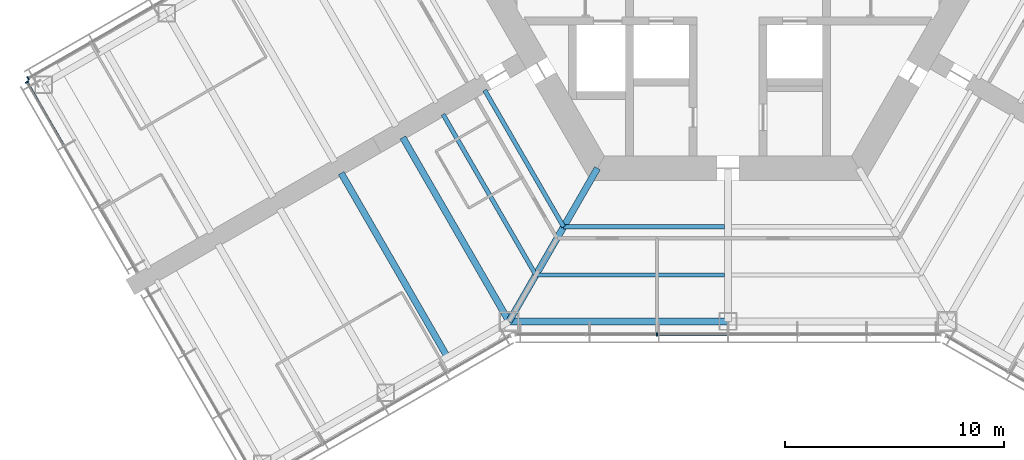
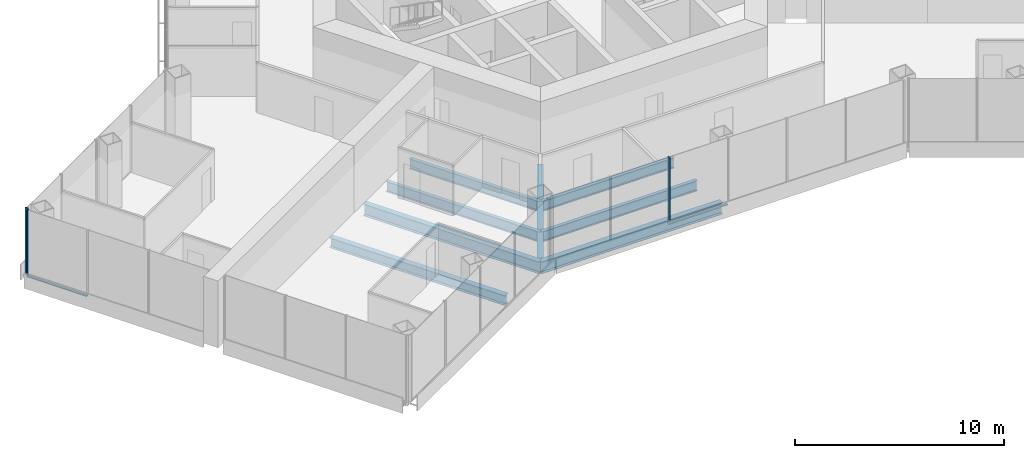
# One storey, part 3 of 18: 8 beams, 5 members, 3 elements without a shape of their own.
"""IFC4 building model written with IfcOpenShell, lengths in metres."""

import ifcopenshell
import ifcopenshell.guid

model = None  # the IFC model being written
_history = None  # IfcOwnerHistory: only IFC2X3 demands one
_inside = {}  # id of a spatial element -> (the spatial element, [elements in it])
_under = {}  # id of a project, library or spatial element -> (it, [spatial elements below it])
_declared = {}  # id of a project -> (the project, [libraries it declares])
_typed = {}  # id of a type object -> (the type object, [elements of that type])
_made_of = {}  # id of a material, layer set ... -> (it, [elements and type objects made of it])


def new_model(schema):
    """Start an empty IFC model of exactly this schema.

    Asked for "IFC4X3", IfcOpenShell would pick the latest addendum, in which some entities
    have other attributes; the version numbers below select the first issue.
    IFC2X3 requires an IfcOwnerHistory on every rooted entity: one is made here for all.
    """
    global model, _history
    if schema == "IFC4X3":
        model = ifcopenshell.file(schema_version=(4, 3, 0, 0))
    else:
        model = ifcopenshell.file(schema=schema)
    _inside.clear()
    _under.clear()
    _declared.clear()
    _typed.clear()
    _made_of.clear()
    _history = None
    if model.schema == "IFC2X3":
        org = make("IfcOrganization", Name="unknown")
        user = make(
            "IfcPersonAndOrganization",
            ThePerson=make("IfcPerson", FamilyName="unknown"),
            TheOrganization=org,
        )
        app = make(
            "IfcApplication",
            ApplicationDeveloper=org,
            Version="unknown",
            ApplicationFullName="unknown",
            ApplicationIdentifier="unknown",
        )
        _history = make(
            "IfcOwnerHistory",
            OwningUser=user,
            OwningApplication=app,
            ChangeAction="ADDED",
            CreationDate=0,
        )
    return model


def make(cls, **values):
    """One entity of the class cls with the attributes given. An attribute that is None is left unset."""
    return model.create_entity(
        cls, **{name: value for name, value in values.items() if value is not None}
    )


def rooted(cls, **values):
    """An entity with a GlobalId (a new one), such as an element, a storey or a relation."""
    return make(cls, GlobalId=ifcopenshell.guid.new(), OwnerHistory=_history, **values)


def si_unit(unit_type, name, prefix=None):
    """IfcSIUnit, for example si_unit("LENGTHUNIT", "METRE", prefix="MILLI")."""
    return make("IfcSIUnit", UnitType=unit_type, Prefix=prefix, Name=name)


def assignment(units):
    """IfcUnitAssignment: the units of a project."""
    return None if units is None else make("IfcUnitAssignment", Units=units)


def point(xyz):
    """IfcCartesianPoint."""
    return None if xyz is None else make("IfcCartesianPoint", Coordinates=xyz)


def direction(xyz):
    """IfcDirection."""
    return None if xyz is None else make("IfcDirection", DirectionRatios=xyz)


def frame(location, z_axis=None, x_axis=None):
    """IfcAxis2Placement3D, a coordinate frame: its origin and axes. An axis left out is left unset."""
    return make(
        "IfcAxis2Placement3D",
        Location=point(location),
        Axis=direction(z_axis),
        RefDirection=direction(x_axis),
    )


def frame_2d(location, x_axis=None):
    """IfcAxis2Placement2D, a coordinate frame in the plane: its origin and x axis."""
    return make(
        "IfcAxis2Placement2D", Location=point(location), RefDirection=direction(x_axis)
    )


def origin():
    """The frame at (0, 0, 0) with its axes left unset."""
    return frame((0.0, 0.0, 0.0))


def origin_2d():
    """The frame at (0, 0) in the plane with its x axis left unset."""
    return frame_2d((0.0, 0.0))


def place(relative_to, where):
    """IfcLocalPlacement: puts the frame where relative to a parent placement (None: the world)."""
    return make(
        "IfcLocalPlacement", PlacementRelTo=relative_to, RelativePlacement=where
    )


def context(
    kind, dimensions, precision=None, world=None, true_north=None, identifier=None
):
    """IfcGeometricRepresentationContext, for example the 3D "Model" context."""
    return make(
        "IfcGeometricRepresentationContext",
        ContextIdentifier=identifier,
        ContextType=kind,
        CoordinateSpaceDimension=dimensions,
        Precision=precision,
        WorldCoordinateSystem=world,
        TrueNorth=true_north,
    )


def subcontext(parent, identifier, kind, view, scale=None):
    """IfcGeometricRepresentationSubContext, for example "Body" below "Model"."""
    return make(
        "IfcGeometricRepresentationSubContext",
        ContextIdentifier=identifier,
        ContextType=kind,
        ParentContext=parent,
        TargetScale=scale,
        TargetView=view,
    )


def project(units=None, contexts=None):
    """IfcProject with its units and contexts."""
    return rooted(
        "IfcProject",
        Name="project",
        RepresentationContexts=contexts,
        UnitsInContext=assignment(units),
    )


def spatial(cls, under=None, at=None, **own):
    """A site, building, storey or space (cls), placed at a placement, below another one or the project."""
    s = rooted(cls, ObjectPlacement=at, **own)
    if under is not None:
        _under.setdefault(under.id(), (under, []))[1].append(s)
    return s


def profile(cls, at=None, kind="AREA", **sizes):
    """A parametric profile (cls). Its sizes go by their IFC names, for example OverallWidth=200.0."""
    return make(cls, ProfileType=kind, Position=at, **sizes)


def rectangle(**sizes):
    """IfcRectangleProfileDef."""
    return profile("IfcRectangleProfileDef", **sizes)


def i_section(**sizes):
    """IfcIShapeProfileDef."""
    return profile("IfcIShapeProfileDef", **sizes)


def extrude(swept, where, along, depth):
    """IfcExtrudedAreaSolid: the profile swept, set in the frame where, extruded along a direction by depth."""
    return make(
        "IfcExtrudedAreaSolid",
        SweptArea=swept,
        Position=where,
        ExtrudedDirection=direction(along),
        Depth=depth,
    )


def shape(context_of_items, identifier, shape_type, items):
    """IfcShapeRepresentation: the items that make up one representation, for example the "Body"."""
    return make(
        "IfcShapeRepresentation",
        ContextOfItems=context_of_items,
        RepresentationIdentifier=identifier,
        RepresentationType=shape_type,
        Items=items,
    )


def material(Name=None, Category=None):
    """IfcMaterial."""
    return make("IfcMaterial", Name=Name, Category=Category)


def material_profile(
    of_material, cross_section, Name=None, Category=None, Priority=None
):
    """IfcMaterialProfile: a cross section and its material."""
    return make(
        "IfcMaterialProfile",
        Name=Name,
        Material=of_material,
        Profile=cross_section,
        Priority=Priority,
        Category=Category,
    )


def profile_set(profiles, Name=None, composite=None):
    """IfcMaterialProfileSet."""
    return make(
        "IfcMaterialProfileSet",
        Name=Name,
        MaterialProfiles=profiles,
        CompositeProfile=composite,
    )


def made_of(thing, what):
    """Note that an element or type object is made of a material, layer set ...; save() writes the relation."""
    if what is not None:
        _made_of.setdefault(what.id(), (what, []))[1].append(thing)
    return thing


def type_object(cls, material=None, **own):
    """A type object (cls), such as IfcWallType, which elements share."""
    return made_of(rooted(cls, **own), material)


def element(
    cls,
    number,
    at=None,
    inside=None,
    cuts=None,
    type_object=None,
    material=None,
    context=None,
    identifier="Body",
    shape_type=None,
    held_by="IfcProductDefinitionShape",
    body=None,
    shapes=None,
    **own,
):
    """One element of the class cls, such as IfcWall. Its Tag is "e" and its number.

    at: its placement. inside: the storey or other place that contains it. cuts: it is an
    opening in that element (IfcRelVoidsElement). A single representation is given by context,
    identifier, shape_type and body (its items); several are given by shapes. held_by: the class
    of the entity that holds the representations. save() writes the other relations.
    """
    e = rooted(cls, Tag="e%d" % number, ObjectPlacement=at, **own)
    if body is not None:
        shapes = [shape(context, identifier, shape_type, body)]
    if shapes is not None:
        e.Representation = make(held_by, Representations=shapes)
    if inside is not None:
        _inside.setdefault(inside.id(), (inside, []))[1].append(e)
    if cuts is not None:
        rooted(
            "IfcRelVoidsElement", RelatingBuildingElement=cuts, RelatedOpeningElement=e
        )
    if type_object is not None:
        _typed.setdefault(type_object.id(), (type_object, []))[1].append(e)
    return made_of(e, material)


def aggregate(whole, parts):
    """IfcRelAggregates: a whole, such as a stair, and the parts it consists of."""
    return rooted("IfcRelAggregates", RelatingObject=whole, RelatedObjects=parts)


def save(model, path):
    """Write the relations noted so far, then the file.

    IfcRelAggregates (storeys below a building ...), IfcRelContainedInSpatialStructure (elements
    in a storey), IfcRelDefinesByType, IfcRelAssociatesMaterial and IfcRelDeclares: one each for
    every whole, place, type object, material and project.
    """
    for whole, parts in _under.values():
        aggregate(whole, parts)
    for where, things in _inside.values():
        rooted(
            "IfcRelContainedInSpatialStructure",
            RelatedElements=things,
            RelatingStructure=where,
        )
    for kind, things in _typed.values():
        rooted("IfcRelDefinesByType", RelatedObjects=things, RelatingType=kind)
    for what, things in _made_of.values():
        rooted("IfcRelAssociatesMaterial", RelatedObjects=things, RelatingMaterial=what)
    for by, libraries in _declared.values():
        rooted("IfcRelDeclares", RelatingContext=by, RelatedDefinitions=libraries)
    model.write(path)


model = new_model("IFC4")

# Units and contexts
model_context = context("Model", 3, precision=1e-05, world=origin(), true_north=direction((0.0, 1.0)))
body_context = subcontext(model_context, "Body", "Model", "MODEL_VIEW")
ifc_project = project(units=[si_unit("LENGTHUNIT", "METRE"), si_unit("AREAUNIT", "SQUARE_METRE"), si_unit("VOLUMEUNIT", "CUBIC_METRE"), si_unit("PLANEANGLEUNIT", "RADIAN"), si_unit("MASSUNIT", "GRAM", prefix="KILO")], contexts=[model_context])

# Site, building, storey
site_placement = place(None, origin())
site = spatial("IfcSite", under=ifc_project, at=site_placement, CompositionType="ELEMENT")
building_placement = place(site_placement, origin())
building = spatial("IfcBuilding", under=site, at=building_placement, Name="Kasaneha Research Tower", CompositionType="ELEMENT")
storey_placement = place(building_placement, frame((0.0, 0.0, 80.699951171875)))
storey = spatial("IfcBuildingStorey", under=building, at=storey_placement, Name="L20", CompositionType="ELEMENT", Elevation=80.699951171875)

# Beams
ifc_material_1 = material(Name="Steel SN490B", Category="steel")
ifc_material_profile_1 = material_profile(ifc_material_1, i_section(OverallWidth=0.199951171875, OverallDepth=0.60009765625, WebThickness=0.010986328125, FlangeThickness=0.01708984375, FilletRadius=0.012939453125, at=origin_2d()), Name="H-600x200x11x17")
ifc_profile_set_1 = profile_set([ifc_material_profile_1], Name="Steel SN490B")
beam_type_1 = type_object("IfcBeamType", Name="B1-3 secondary beam H-600x200x11x17", PredefinedType="JOIST", material=ifc_profile_set_1)
beam_1_placement = place(storey_placement, frame((-7.505615234375, -13.0, -0.449951171875), z_axis=(-0.499998147991, 0.86602647304, 0.0), x_axis=(-0.86602647304, -0.499998147991, 0.0)))
element("IfcBeam", 1, at=beam_1_placement, inside=storey, type_object=beam_type_1, Name="Secondary beam RS210R1 L20", PredefinedType="JOIST", context=body_context, shape_type="SweptSolid", body=[
    extrude(i_section(OverallWidth=0.199951171875, OverallDepth=0.60009765625, WebThickness=0.010986328125, FlangeThickness=0.01708984375, FilletRadius=0.012939453125, at=origin_2d()), origin(), (0.0, 0.0, 1.0), 7.20556640625),
])
beam_2_placement = place(storey_placement, frame((-8.775634765625, -15.199951171875, -0.449951171875), z_axis=(-0.500020829043, 0.866013377797, 0.0), x_axis=(-0.866013377797, -0.500020829043, 0.0)))
element("IfcBeam", 2, at=beam_2_placement, inside=storey, type_object=beam_type_1, Name="Secondary beam RS210R2 L20", PredefinedType="JOIST", context=body_context, shape_type="SweptSolid", body=[
    extrude(i_section(OverallWidth=0.199951171875, OverallDepth=0.60009765625, WebThickness=0.010986328125, FlangeThickness=0.01708984375, FilletRadius=0.012939453125, at=origin_2d()), origin(), (0.0, 0.0, 1.0), 8.475830078125),
])
beam_3_placement = place(storey_placement, frame((-7.505615234375, -13.0, -0.449951171875), z_axis=(1.0, 0.0, 0.0), x_axis=(0.0, 1.0, 0.0)))
element("IfcBeam", 3, at=beam_3_placement, inside=storey, type_object=beam_type_1, Name="Secondary beam RS270L1 L20", PredefinedType="JOIST", context=body_context, shape_type="SweptSolid", body=[
    extrude(i_section(OverallWidth=0.199951171875, OverallDepth=0.60009765625, WebThickness=0.010986328125, FlangeThickness=0.01708984375, FilletRadius=0.012939453125, at=origin_2d()), origin(), (0.0, 0.0, 1.0), 7.355712890625),
])
beam_4_placement = place(storey_placement, frame((-8.775634765625, -15.199951171875, -0.449951171875), z_axis=(1.0, 0.0, 0.0), x_axis=(0.0, 1.0, 0.0)))
element("IfcBeam", 4, at=beam_4_placement, inside=storey, type_object=beam_type_1, Name="Secondary beam RS270L2 L20", PredefinedType="JOIST", context=body_context, shape_type="SweptSolid", body=[
    extrude(i_section(OverallWidth=0.199951171875, OverallDepth=0.60009765625, WebThickness=0.010986328125, FlangeThickness=0.01708984375, FilletRadius=0.012939453125, at=origin_2d()), origin(), (0.0, 0.0, 1.0), 8.625732421875),
])
ifc_material_2 = material(Name="Steel SN490B", Category="steel")
ifc_material_profile_2 = material_profile(ifc_material_2, i_section(OverallWidth=0.300048828125, OverallDepth=0.58203125, WebThickness=0.011962890625, FlangeThickness=0.01708984375, FilletRadius=0.012939453125, at=origin_2d()), Name="H-582x300x12x17")
ifc_profile_set_2 = profile_set([ifc_material_profile_2], Name="Steel SN490B")
beam_type_2 = type_object("IfcBeamType", Name="B2-3 secondary beam H-582x300x12x17", PredefinedType="JOIST", material=ifc_profile_set_2)
beam_5_placement = place(storey_placement, frame((-12.814697265625, -18.945556640625, -0.44091796875), z_axis=(-0.499991164321, 0.866030505006, 0.0), x_axis=(-0.866030505006, -0.499991164321, 0.0)))
element("IfcBeam", 5, at=beam_5_placement, inside=storey, type_object=beam_type_2, Name="Secondary beam WBBN1 L20", PredefinedType="JOIST", context=body_context, shape_type="SweptSolid", body=[
    extrude(i_section(OverallWidth=0.300048828125, OverallDepth=0.58203125, WebThickness=0.011962890625, FlangeThickness=0.01708984375, FilletRadius=0.012939453125, at=origin_2d()), origin(), (0.0, 0.0, 1.0), 9.699951171875),
])

# Curtain wall, member
ifc_material_3 = material(Name="Glass and aluminium", Category="aluminium")
curtain_wall_type = type_object("IfcCurtainWallType", Name="Low-rise office curtain wall", PredefinedType="USERDEFINED", material=ifc_material_3)
curtain_wall_1_placement = place(storey_placement, origin())
curtain_wall_1 = element("IfcCurtainWall", 6, at=curtain_wall_1_placement, inside=storey, type_object=curtain_wall_type, Name="CW-O1 L20 run 02a", ObjectType="UNITISED CURTAIN WALL", PredefinedType="USERDEFINED")
ifc_material_4 = material(Name="Aluminium 6063-T6", Category="aluminium")
ifc_material_profile_3 = material_profile(ifc_material_4, rectangle(XDim=0.06005859375, YDim=0.159912109375, at=origin_2d()), Name="CW-O1 mullion 60x160")
ifc_profile_set_3 = profile_set([ifc_material_profile_3], Name="Aluminium 6063-T6")
member_type_1 = type_object("IfcMemberType", Name="CW-O1 mullion", PredefinedType="MULLION", material=ifc_profile_set_3)
member_1_placement = place(storey_placement, frame((-3.246337890625, -17.92041015625, 0.0), z_axis=(0.0, 0.0, 1.0), x_axis=(1.0, 0.0, 0.0)))
member_1 = element("IfcMember", 7, at=member_1_placement, type_object=member_type_1, Name="CW-O1 mullion 3", PredefinedType="MULLION", context=body_context, shape_type="SweptSolid", body=[
    extrude(rectangle(XDim=0.06005859375, YDim=0.159912109375, at=origin_2d()), origin(), (0.0, 0.0, 1.0), 3.900146484375),
])

curtain_wall_2_placement = place(storey_placement, origin())
curtain_wall_2 = element("IfcCurtainWall", 8, at=curtain_wall_2_placement, inside=storey, type_object=curtain_wall_type, Name="CW-O1 L20 run 13a", ObjectType="UNITISED CURTAIN WALL", PredefinedType="USERDEFINED")
member_2_placement = place(storey_placement, frame((-31.96533203125, -6.21533203125, 0.0), z_axis=(0.0, 0.0, 1.0), x_axis=(-0.866025411464, -0.499999986699, 0.0)))
member_2 = element("IfcMember", 9, at=member_2_placement, type_object=member_type_1, Name="CW-O1 mullion 5", PredefinedType="MULLION", context=body_context, shape_type="SweptSolid", body=[
    extrude(rectangle(XDim=0.06005859375, YDim=0.159912109375, at=origin_2d()), origin(), (0.0, 0.0, 1.0), 3.900146484375),
])
aggregate(curtain_wall_2, [member_2])

curtain_wall_3_placement = place(storey_placement, origin())
curtain_wall_3 = element("IfcCurtainWall", 10, at=curtain_wall_3_placement, inside=storey, type_object=curtain_wall_type, Name="CW-O1 L20 run 14a", ObjectType="UNITISED CURTAIN WALL", PredefinedType="USERDEFINED")
member_3_placement = place(storey_placement, frame((-32.012939453125, -6.39306640625, 0.0), z_axis=(0.0, 0.0, 1.0), x_axis=(0.500000011442, -0.866025397178, 0.0)))
member_3 = element("IfcMember", 11, at=member_3_placement, type_object=member_type_1, Name="CW-O1 mullion 1", PredefinedType="MULLION", context=body_context, shape_type="SweptSolid", body=[
    extrude(rectangle(XDim=0.06005859375, YDim=0.159912109375, at=origin_2d()), origin(), (0.0, 0.0, 1.0), 3.900146484375),
])

# Member
ifc_material_5 = material(Name="Aluminium 6063-T6", Category="aluminium")
ifc_material_profile_4 = material_profile(ifc_material_5, rectangle(XDim=0.1201171875, YDim=0.06005859375, at=origin_2d()), Name="CW-O1 transom 120x60")
ifc_profile_set_4 = profile_set([ifc_material_profile_4], Name="Aluminium 6063-T6")
member_type_2 = type_object("IfcMemberType", Name="CW-O1 transom", PredefinedType="USERDEFINED", material=ifc_profile_set_4)
member_4_placement = place(storey_placement, frame((-3.21630859375, -17.92041015625, 0.030029296875), z_axis=(1.0, 0.0, 0.0), x_axis=(0.0, 1.0, 0.0)))
member_4 = element("IfcMember", 12, at=member_4_placement, type_object=member_type_2, Name="CW-O1 transom 3", ObjectType="TRANSOM", PredefinedType="USERDEFINED", context=body_context, shape_type="SweptSolid", body=[
    extrude(rectangle(XDim=0.1201171875, YDim=0.06005859375, at=origin_2d()), origin(), (0.0, 0.0, 1.0), 3.186279296875),
])

aggregate(curtain_wall_1, [member_1, member_4])

member_5_placement = place(storey_placement, frame((-31.998046875, -6.4189453125, 0.030029296875), z_axis=(0.500025583411, -0.866010632691, 0.0), x_axis=(0.866010632691, 0.500025583411, 0.0)))
member_5 = element("IfcMember", 13, at=member_5_placement, type_object=member_type_2, Name="CW-O1 transom 1", ObjectType="TRANSOM", PredefinedType="USERDEFINED", context=body_context, shape_type="SweptSolid", body=[
    extrude(rectangle(XDim=0.1201171875, YDim=0.06005859375, at=origin_2d()), origin(), (0.0, 0.0, 1.0), 3.276611328125),
])

aggregate(curtain_wall_3, [member_3, member_5])

# Beams
ifc_material_6 = material(Name="Steel SN490B", Category="steel")
ifc_material_profile_5 = material_profile(ifc_material_6, i_section(OverallWidth=0.300048828125, OverallDepth=0.699951171875, WebThickness=0.012939453125, FlangeThickness=0.02392578125, FilletRadius=0.01806640625, at=origin_2d()), Name="H-700x300x13x24")
ifc_profile_set_5 = profile_set([ifc_material_profile_5], Name="Steel SN490B")
beam_type_3 = type_object("IfcBeamType", Name="G1-3 radial girder H-700x300x13x24", PredefinedType="BEAM", material=ifc_profile_set_5)
beam_6_placement = place(storey_placement, frame((-5.961181640625, -10.324951171875, -0.5), z_axis=(-0.49999105496, -0.866030568144, 0.0), x_axis=(0.866030568144, -0.49999105496, 0.0)))
element("IfcBeam", 14, at=beam_6_placement, inside=storey, type_object=beam_type_3, Name="Radial girder RV240 L20", PredefinedType="BEAM", context=body_context, shape_type="SweptSolid", body=[
    extrude(i_section(OverallWidth=0.300048828125, OverallDepth=0.699951171875, WebThickness=0.012939453125, FlangeThickness=0.02392578125, FilletRadius=0.01806640625, at=origin_2d()), origin(), (0.0, 0.0, 1.0), 8.077880859375),
])
ifc_material_7 = material(Name="Steel SN490B", Category="steel")
ifc_material_profile_6 = material_profile(ifc_material_7, i_section(OverallWidth=0.300048828125, OverallDepth=0.69189453125, WebThickness=0.012939453125, FlangeThickness=0.02001953125, FilletRadius=0.01806640625, at=origin_2d()), Name="H-692x300x13x20")
ifc_profile_set_6 = profile_set([ifc_material_profile_6], Name="Steel SN490B")
beam_type_4 = type_object("IfcBeamType", Name="G3-3 plate edge girder H-692x300x13x20", PredefinedType="BEAM", material=ifc_profile_set_6)
beam_7_placement = place(storey_placement, frame((-10.0, -17.320556640625, -0.495849609375), z_axis=(-0.500010041276, 0.866019606374, 0.0), x_axis=(-0.866019606374, -0.500010041276, 0.0)))
element("IfcBeam", 15, at=beam_7_placement, inside=storey, type_object=beam_type_4, Name="Plate edge girder PEBN L20", PredefinedType="BEAM", context=body_context, shape_type="SweptSolid", body=[
    extrude(i_section(OverallWidth=0.300048828125, OverallDepth=0.69189453125, WebThickness=0.012939453125, FlangeThickness=0.02001953125, FilletRadius=0.01806640625, at=origin_2d()), origin(), (0.0, 0.0, 1.0), 9.699951171875),
])
ifc_material_8 = material(Name="Steel SN490B", Category="steel")
ifc_material_profile_7 = material_profile(ifc_material_8, i_section(OverallWidth=0.300048828125, OverallDepth=0.69189453125, WebThickness=0.012939453125, FlangeThickness=0.02001953125, FilletRadius=0.01806640625, at=origin_2d()), Name="H-692x300x13x20")
ifc_profile_set_7 = profile_set([ifc_material_profile_7], Name="Steel SN490B")
beam_type_5 = type_object("IfcBeamType", Name="SB1-3 spandrel beam H-692x300x13x20", PredefinedType="SPANDREL", material=ifc_profile_set_7)
beam_8_placement = place(storey_placement, frame((-10.0, -17.320556640625, -0.495849609375), z_axis=(1.0, 0.0, 0.0), x_axis=(0.0, 1.0, 0.0)))
element("IfcBeam", 16, at=beam_8_placement, inside=storey, type_object=beam_type_5, Name="Spandrel beam SR270L L20", PredefinedType="SPANDREL", context=body_context, shape_type="SweptSolid", body=[
    extrude(i_section(OverallWidth=0.300048828125, OverallDepth=0.69189453125, WebThickness=0.012939453125, FlangeThickness=0.02001953125, FilletRadius=0.01806640625, at=origin_2d()), origin(), (0.0, 0.0, 1.0), 10.0),
])

save(model, "model.ifc")
